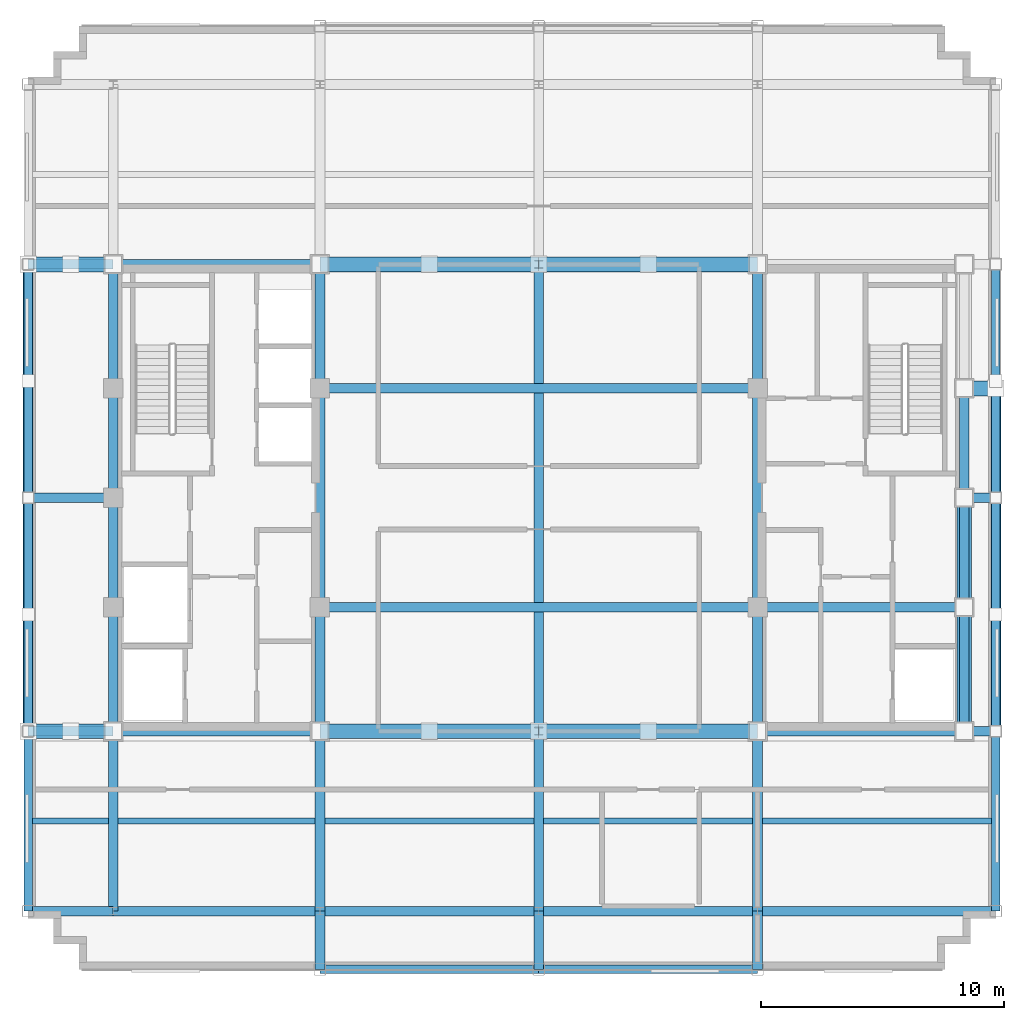
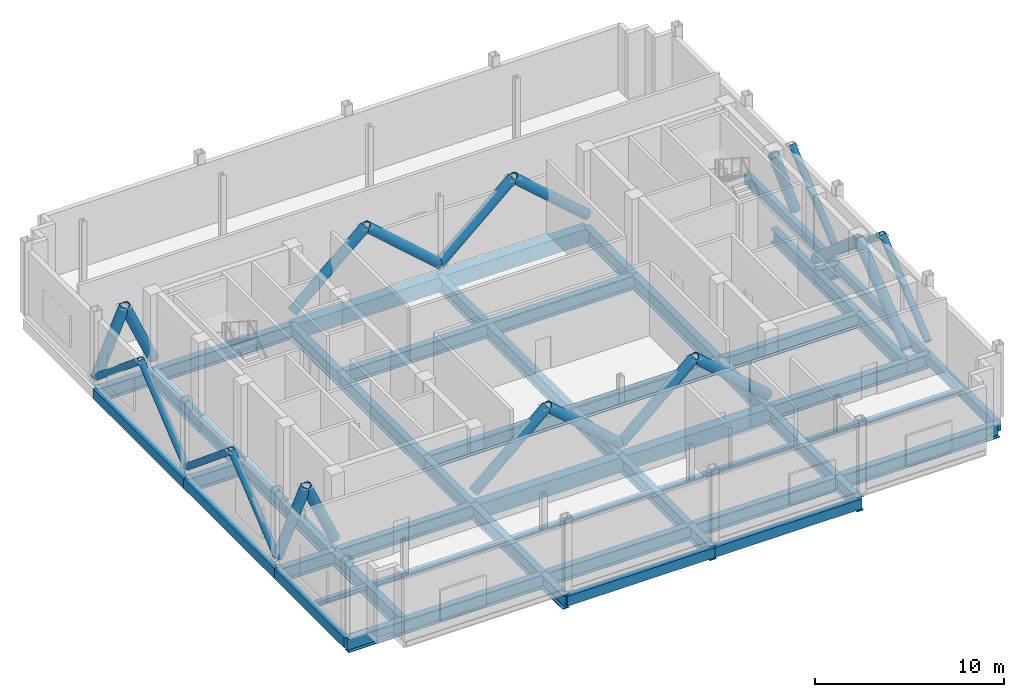
# One storey, part 4 of 12: 54 beams, 22 members.
"""IFC4 building model written with IfcOpenShell, lengths in metres."""

from ifc_helpers import new_model, si_unit, direction, frame, origin, origin_2d, place, context, subcontext, project, spatial, rectangle, hollow_circle, i_section, extrude, material, material_profile, profile_set, type_object, element, save


model = new_model("IFC4")

# Units and contexts
model_context = context("Model", 3, precision=1e-05, world=origin(), true_north=direction((0.0, 1.0)))
body_context = subcontext(model_context, "Body", "Model", "MODEL_VIEW")
ifc_project = project(units=[si_unit("LENGTHUNIT", "METRE"), si_unit("AREAUNIT", "SQUARE_METRE"), si_unit("VOLUMEUNIT", "CUBIC_METRE"), si_unit("PLANEANGLEUNIT", "RADIAN"), si_unit("MASSUNIT", "GRAM", prefix="KILO")], contexts=[model_context])

# Site, building, storey
site_placement = place(None, origin())
site = spatial("IfcSite", under=ifc_project, at=site_placement, CompositionType="ELEMENT")
building_placement = place(site_placement, origin())
building = spatial("IfcBuilding", under=site, at=building_placement, Name="Nuvemarco Arch Tower", CompositionType="ELEMENT")
storey_placement = place(building_placement, frame((0.0, 0.0, 252.949951171875)))
storey = spatial("IfcBuildingStorey", under=building, at=storey_placement, Name="L67", CompositionType="ELEMENT", Elevation=252.949951171875)

# Beams
ifc_material_1 = material(Name="Concrete C60/75", Category="concrete")
ifc_material_profile_1 = material_profile(ifc_material_1, rectangle(XDim=0.60009765625, YDim=0.949951171875, at=origin_2d()), Name="RC-BM-600x950")
ifc_profile_set_1 = profile_set([ifc_material_profile_1], Name="Concrete C60/75")
beam_type_1 = type_object("IfcBeamType", Name="BM-COUP-RC", PredefinedType="LINTEL", material=ifc_profile_set_1)
for number, where, z_axis, x_axis, name in (
    (1, (-9.0, -9.60009765625, -0.875), (1.0, 0.0, 0.0), (0.0, 1.0, 0.0), "L67 structural beam BGEW_L67_0_-9.6_-9.0"),
    (2, (0.0, -9.60009765625, -0.875), (1.0, 0.0, 0.0), (0.0, 1.0, 0.0), "L67 structural beam BGEW_L67_0_-9.6_+0.0"),
    (3, (-9.0, 9.60009765625, -0.875), (1.0, 0.0, 0.0), (0.0, 1.0, 0.0), "L67 structural beam BGEW_L67_0_+9.6_-9.0"),
    (4, (0.0, 9.60009765625, -0.875), (1.0, 0.0, 0.0), (0.0, 1.0, 0.0), "L67 structural beam BGEW_L67_0_+9.6_+0.0"),
):
    element("IfcBeam", number, at=place(storey_placement, frame(where, z_axis=z_axis, x_axis=x_axis)), inside=storey, type_object=beam_type_1, Name=name, PredefinedType="LINTEL", context=body_context, shape_type="SweptSolid", body=[
        extrude(rectangle(XDim=0.60009765625, YDim=0.949951171875, at=origin_2d()), origin(), (0.0, 0.0, 1.0), 9.0),
    ])
ifc_material_2 = material(Name="Steel S355", Category="steel")
ifc_material_profile_2 = material_profile(ifc_material_2, i_section(OverallWidth=0.39990234375, OverallDepth=0.89990234375, WebThickness=0.02197265625, FlangeThickness=0.035888671875, FilletRadius=0.01611328125, at=origin_2d()), Name="PG900x400")
ifc_profile_set_2 = profile_set([ifc_material_profile_2], Name="Steel S355")
beam_type_2 = type_object("IfcBeamType", Name="BM-GIRD-900", PredefinedType="BEAM", material=ifc_profile_set_2)
beam_1_placement = place(storey_placement, frame((-17.5, -17.0, -0.849853515625), z_axis=(0.0, 1.0, 0.0), x_axis=(-1.0, 0.0, 0.0)))
element("IfcBeam", 5, at=beam_1_placement, inside=storey, type_object=beam_type_2, Name="L67 structural beam BGNS_L67_0_-17.5_-17.0", PredefinedType="BEAM", context=body_context, shape_type="SweptSolid", body=[
    extrude(i_section(OverallWidth=0.39990234375, OverallDepth=0.89990234375, WebThickness=0.02197265625, FlangeThickness=0.035888671875, FilletRadius=0.01611328125, at=origin_2d()), origin(), (0.0, 0.0, 1.0), 7.39990234375),
])
beam_2_placement = place(storey_placement, frame((-17.5, -9.60009765625, -0.849853515625), z_axis=(0.0, 1.0, 0.0), x_axis=(-1.0, 0.0, 0.0)))
element("IfcBeam", 6, at=beam_2_placement, inside=storey, type_object=beam_type_2, Name="L67 structural beam BGNS_L67_0_-17.5_-9.6", PredefinedType="BEAM", context=body_context, shape_type="SweptSolid", body=[
    extrude(i_section(OverallWidth=0.39990234375, OverallDepth=0.89990234375, WebThickness=0.02197265625, FlangeThickness=0.035888671875, FilletRadius=0.01611328125, at=origin_2d()), origin(), (0.0, 0.0, 1.0), 5.10009765625),
])
for number, where, z_axis, x_axis, name in (
    (7, (-17.5, -4.5, -0.849853515625), (0.0, 1.0, 0.0), (-1.0, 0.0, 0.0), "L67 structural beam BGNS_L67_0_-17.5_-4.5"),
    (8, (-17.5, 0.0, -0.849853515625), (0.0, 1.0, 0.0), (-1.0, 0.0, 0.0), "L67 structural beam BGNS_L67_0_-17.5_+0.0"),
):
    element("IfcBeam", number, at=place(storey_placement, frame(where, z_axis=z_axis, x_axis=x_axis)), inside=storey, type_object=beam_type_2, Name=name, PredefinedType="BEAM", context=body_context, shape_type="SweptSolid", body=[
        extrude(i_section(OverallWidth=0.39990234375, OverallDepth=0.89990234375, WebThickness=0.02197265625, FlangeThickness=0.035888671875, FilletRadius=0.01611328125, at=origin_2d()), origin(), (0.0, 0.0, 1.0), 4.5),
    ])
beam_3_placement = place(storey_placement, frame((-17.5, 4.5, -0.849853515625), z_axis=(0.0, 1.0, 0.0), x_axis=(-1.0, 0.0, 0.0)))
element("IfcBeam", 9, at=beam_3_placement, inside=storey, type_object=beam_type_2, Name="L67 structural beam BGNS_L67_0_-17.5_+4.5", PredefinedType="BEAM", context=body_context, shape_type="SweptSolid", body=[
    extrude(i_section(OverallWidth=0.39990234375, OverallDepth=0.89990234375, WebThickness=0.02197265625, FlangeThickness=0.035888671875, FilletRadius=0.01611328125, at=origin_2d()), origin(), (0.0, 0.0, 1.0), 5.10009765625),
])
beam_4_placement = place(storey_placement, frame((-9.0, -19.39990234375, -0.849853515625), z_axis=(0.0, 1.0, 0.0), x_axis=(-1.0, 0.0, 0.0)))
element("IfcBeam", 10, at=beam_4_placement, inside=storey, type_object=beam_type_2, Name="L67 structural beam BGNS_L67_0_-9.0_-19.4", PredefinedType="BEAM", context=body_context, shape_type="SweptSolid", body=[
    extrude(i_section(OverallWidth=0.39990234375, OverallDepth=0.89990234375, WebThickness=0.02197265625, FlangeThickness=0.035888671875, FilletRadius=0.01611328125, at=origin_2d()), origin(), (0.0, 0.0, 1.0), 2.39990234375),
])
beam_5_placement = place(storey_placement, frame((-9.0, -17.0, -0.849853515625), z_axis=(0.0, 1.0, 0.0), x_axis=(-1.0, 0.0, 0.0)))
element("IfcBeam", 11, at=beam_5_placement, inside=storey, type_object=beam_type_2, Name="L67 structural beam BGNS_L67_0_-9.0_-17.0", PredefinedType="BEAM", context=body_context, shape_type="SweptSolid", body=[
    extrude(i_section(OverallWidth=0.39990234375, OverallDepth=0.89990234375, WebThickness=0.02197265625, FlangeThickness=0.035888671875, FilletRadius=0.01611328125, at=origin_2d()), origin(), (0.0, 0.0, 1.0), 7.39990234375),
])
beam_6_placement = place(storey_placement, frame((-9.0, -9.60009765625, -0.849853515625), z_axis=(0.0, 1.0, 0.0), x_axis=(-1.0, 0.0, 0.0)))
element("IfcBeam", 12, at=beam_6_placement, inside=storey, type_object=beam_type_2, Name="L67 structural beam BGNS_L67_0_-9.0_-9.6", PredefinedType="BEAM", context=body_context, shape_type="SweptSolid", body=[
    extrude(i_section(OverallWidth=0.39990234375, OverallDepth=0.89990234375, WebThickness=0.02197265625, FlangeThickness=0.035888671875, FilletRadius=0.01611328125, at=origin_2d()), origin(), (0.0, 0.0, 1.0), 5.10009765625),
])
beam_7_placement = place(storey_placement, frame((-9.0, -4.5, -0.849853515625), z_axis=(0.0, 1.0, 0.0), x_axis=(-1.0, 0.0, 0.0)))
element("IfcBeam", 13, at=beam_7_placement, inside=storey, type_object=beam_type_2, Name="L67 structural beam BGNS_L67_0_-9.0_-4.5", PredefinedType="BEAM", context=body_context, shape_type="SweptSolid", body=[
    extrude(i_section(OverallWidth=0.39990234375, OverallDepth=0.89990234375, WebThickness=0.02197265625, FlangeThickness=0.035888671875, FilletRadius=0.01611328125, at=origin_2d()), origin(), (0.0, 0.0, 1.0), 9.0),
])
beam_8_placement = place(storey_placement, frame((-9.0, 4.5, -0.849853515625), z_axis=(0.0, 1.0, 0.0), x_axis=(-1.0, 0.0, 0.0)))
element("IfcBeam", 14, at=beam_8_placement, inside=storey, type_object=beam_type_2, Name="L67 structural beam BGNS_L67_0_-9.0_+4.5", PredefinedType="BEAM", context=body_context, shape_type="SweptSolid", body=[
    extrude(i_section(OverallWidth=0.39990234375, OverallDepth=0.89990234375, WebThickness=0.02197265625, FlangeThickness=0.035888671875, FilletRadius=0.01611328125, at=origin_2d()), origin(), (0.0, 0.0, 1.0), 5.10009765625),
])
beam_9_placement = place(storey_placement, frame((0.0, -19.39990234375, -0.849853515625), z_axis=(0.0, 1.0, 0.0), x_axis=(-1.0, 0.0, 0.0)))
element("IfcBeam", 15, at=beam_9_placement, inside=storey, type_object=beam_type_2, Name="L67 structural beam BGNS_L67_0_+0.0_-19.4", PredefinedType="BEAM", context=body_context, shape_type="SweptSolid", body=[
    extrude(i_section(OverallWidth=0.39990234375, OverallDepth=0.89990234375, WebThickness=0.02197265625, FlangeThickness=0.035888671875, FilletRadius=0.01611328125, at=origin_2d()), origin(), (0.0, 0.0, 1.0), 2.39990234375),
])
beam_10_placement = place(storey_placement, frame((0.0, -17.0, -0.849853515625), z_axis=(0.0, 1.0, 0.0), x_axis=(-1.0, 0.0, 0.0)))
element("IfcBeam", 16, at=beam_10_placement, inside=storey, type_object=beam_type_2, Name="L67 structural beam BGNS_L67_0_+0.0_-17.0", PredefinedType="BEAM", context=body_context, shape_type="SweptSolid", body=[
    extrude(i_section(OverallWidth=0.39990234375, OverallDepth=0.89990234375, WebThickness=0.02197265625, FlangeThickness=0.035888671875, FilletRadius=0.01611328125, at=origin_2d()), origin(), (0.0, 0.0, 1.0), 7.39990234375),
])
beam_11_placement = place(storey_placement, frame((0.0, -9.60009765625, -0.849853515625), z_axis=(0.0, 1.0, 0.0), x_axis=(-1.0, 0.0, 0.0)))
element("IfcBeam", 17, at=beam_11_placement, inside=storey, type_object=beam_type_2, Name="L67 structural beam BGNS_L67_0_+0.0_-9.6", PredefinedType="BEAM", context=body_context, shape_type="SweptSolid", body=[
    extrude(i_section(OverallWidth=0.39990234375, OverallDepth=0.89990234375, WebThickness=0.02197265625, FlangeThickness=0.035888671875, FilletRadius=0.01611328125, at=origin_2d()), origin(), (0.0, 0.0, 1.0), 19.2001953125),
])
beam_12_placement = place(storey_placement, frame((9.0, -19.39990234375, -0.849853515625), z_axis=(0.0, 1.0, 0.0), x_axis=(-1.0, 0.0, 0.0)))
element("IfcBeam", 18, at=beam_12_placement, inside=storey, type_object=beam_type_2, Name="L67 structural beam BGNS_L67_0_+9.0_-19.4", PredefinedType="BEAM", context=body_context, shape_type="SweptSolid", body=[
    extrude(i_section(OverallWidth=0.39990234375, OverallDepth=0.89990234375, WebThickness=0.02197265625, FlangeThickness=0.035888671875, FilletRadius=0.01611328125, at=origin_2d()), origin(), (0.0, 0.0, 1.0), 2.39990234375),
])
beam_13_placement = place(storey_placement, frame((9.0, -17.0, -0.849853515625), z_axis=(0.0, 1.0, 0.0), x_axis=(-1.0, 0.0, 0.0)))
element("IfcBeam", 19, at=beam_13_placement, inside=storey, type_object=beam_type_2, Name="L67 structural beam BGNS_L67_0_+9.0_-17.0", PredefinedType="BEAM", context=body_context, shape_type="SweptSolid", body=[
    extrude(i_section(OverallWidth=0.39990234375, OverallDepth=0.89990234375, WebThickness=0.02197265625, FlangeThickness=0.035888671875, FilletRadius=0.01611328125, at=origin_2d()), origin(), (0.0, 0.0, 1.0), 7.39990234375),
])
beam_14_placement = place(storey_placement, frame((9.0, -9.60009765625, -0.849853515625), z_axis=(0.0, 1.0, 0.0), x_axis=(-1.0, 0.0, 0.0)))
element("IfcBeam", 20, at=beam_14_placement, inside=storey, type_object=beam_type_2, Name="L67 structural beam BGNS_L67_0_+9.0_-9.6", PredefinedType="BEAM", context=body_context, shape_type="SweptSolid", body=[
    extrude(i_section(OverallWidth=0.39990234375, OverallDepth=0.89990234375, WebThickness=0.02197265625, FlangeThickness=0.035888671875, FilletRadius=0.01611328125, at=origin_2d()), origin(), (0.0, 0.0, 1.0), 5.10009765625),
])
beam_15_placement = place(storey_placement, frame((9.0, -4.5, -0.849853515625), z_axis=(0.0, 1.0, 0.0), x_axis=(-1.0, 0.0, 0.0)))
element("IfcBeam", 21, at=beam_15_placement, inside=storey, type_object=beam_type_2, Name="L67 structural beam BGNS_L67_0_+9.0_-4.5", PredefinedType="BEAM", context=body_context, shape_type="SweptSolid", body=[
    extrude(i_section(OverallWidth=0.39990234375, OverallDepth=0.89990234375, WebThickness=0.02197265625, FlangeThickness=0.035888671875, FilletRadius=0.01611328125, at=origin_2d()), origin(), (0.0, 0.0, 1.0), 9.0),
])
for number, where, z_axis, x_axis, name in (
    (22, (9.0, 4.5, -0.849853515625), (0.0, 1.0, 0.0), (-1.0, 0.0, 0.0), "L67 structural beam BGNS_L67_0_+9.0_+4.5"),
    (23, (17.5, -9.60009765625, -0.849853515625), (0.0, 1.0, 0.0), (-1.0, 0.0, 0.0), "L67 structural beam BGNS_L67_0_+17.5_-9.6"),
):
    element("IfcBeam", number, at=place(storey_placement, frame(where, z_axis=z_axis, x_axis=x_axis)), inside=storey, type_object=beam_type_2, Name=name, PredefinedType="BEAM", context=body_context, shape_type="SweptSolid", body=[
        extrude(i_section(OverallWidth=0.39990234375, OverallDepth=0.89990234375, WebThickness=0.02197265625, FlangeThickness=0.035888671875, FilletRadius=0.01611328125, at=origin_2d()), origin(), (0.0, 0.0, 1.0), 5.10009765625),
    ])
for number, where, z_axis, x_axis, name in (
    (24, (17.5, -4.5, -0.849853515625), (0.0, 1.0, 0.0), (-1.0, 0.0, 0.0), "L67 structural beam BGNS_L67_0_+17.5_-4.5"),
    (25, (17.5, 0.0, -0.849853515625), (0.0, 1.0, 0.0), (-1.0, 0.0, 0.0), "L67 structural beam BGNS_L67_0_+17.5_+0.0"),
):
    element("IfcBeam", number, at=place(storey_placement, frame(where, z_axis=z_axis, x_axis=x_axis)), inside=storey, type_object=beam_type_2, Name=name, PredefinedType="BEAM", context=body_context, shape_type="SweptSolid", body=[
        extrude(i_section(OverallWidth=0.39990234375, OverallDepth=0.89990234375, WebThickness=0.02197265625, FlangeThickness=0.035888671875, FilletRadius=0.01611328125, at=origin_2d()), origin(), (0.0, 0.0, 1.0), 4.5),
    ])
beam_16_placement = place(storey_placement, frame((-21.0, -17.0, -0.849853515625), z_axis=(1.0, 0.0, 0.0), x_axis=(0.0, 1.0, 0.0)))
element("IfcBeam", 26, at=beam_16_placement, inside=storey, type_object=beam_type_2, Name="L67 structural beam BGEW_L67_0_-17.0_-21.0", PredefinedType="BEAM", context=body_context, shape_type="SweptSolid", body=[
    extrude(i_section(OverallWidth=0.39990234375, OverallDepth=0.89990234375, WebThickness=0.02197265625, FlangeThickness=0.035888671875, FilletRadius=0.01611328125, at=origin_2d()), origin(), (0.0, 0.0, 1.0), 3.5),
])
beam_17_placement = place(storey_placement, frame((-17.5, -17.0, -0.849853515625), z_axis=(1.0, 0.0, 0.0), x_axis=(0.0, 1.0, 0.0)))
element("IfcBeam", 27, at=beam_17_placement, inside=storey, type_object=beam_type_2, Name="L67 structural beam BGEW_L67_0_-17.0_-17.5", PredefinedType="BEAM", context=body_context, shape_type="SweptSolid", body=[
    extrude(i_section(OverallWidth=0.39990234375, OverallDepth=0.89990234375, WebThickness=0.02197265625, FlangeThickness=0.035888671875, FilletRadius=0.01611328125, at=origin_2d()), origin(), (0.0, 0.0, 1.0), 8.5),
])
for number, where, z_axis, x_axis, name in (
    (28, (-9.0, -17.0, -0.849853515625), (1.0, 0.0, 0.0), (0.0, 1.0, 0.0), "L67 structural beam BGEW_L67_0_-17.0_-9.0"),
    (29, (0.0, -17.0, -0.849853515625), (1.0, 0.0, 0.0), (0.0, 1.0, 0.0), "L67 structural beam BGEW_L67_0_-17.0_+0.0"),
):
    element("IfcBeam", number, at=place(storey_placement, frame(where, z_axis=z_axis, x_axis=x_axis)), inside=storey, type_object=beam_type_2, Name=name, PredefinedType="BEAM", context=body_context, shape_type="SweptSolid", body=[
        extrude(i_section(OverallWidth=0.39990234375, OverallDepth=0.89990234375, WebThickness=0.02197265625, FlangeThickness=0.035888671875, FilletRadius=0.01611328125, at=origin_2d()), origin(), (0.0, 0.0, 1.0), 9.0),
    ])
beam_18_placement = place(storey_placement, frame((9.0, -17.0, -0.849853515625), z_axis=(1.0, 0.0, 0.0), x_axis=(0.0, 1.0, 0.0)))
element("IfcBeam", 30, at=beam_18_placement, inside=storey, type_object=beam_type_2, Name="L67 structural beam BGEW_L67_0_-17.0_+9.0", PredefinedType="BEAM", context=body_context, shape_type="SweptSolid", body=[
    extrude(i_section(OverallWidth=0.39990234375, OverallDepth=0.89990234375, WebThickness=0.02197265625, FlangeThickness=0.035888671875, FilletRadius=0.01611328125, at=origin_2d()), origin(), (0.0, 0.0, 1.0), 9.800048828125),
])
beam_19_placement = place(storey_placement, frame((-21.0, -9.60009765625, -0.849853515625), z_axis=(1.0, 0.0, 0.0), x_axis=(0.0, 1.0, 0.0)))
element("IfcBeam", 31, at=beam_19_placement, inside=storey, type_object=beam_type_2, Name="L67 structural beam BGEW_L67_0_-9.6_-21.0", PredefinedType="BEAM", context=body_context, shape_type="SweptSolid", body=[
    extrude(i_section(OverallWidth=0.39990234375, OverallDepth=0.89990234375, WebThickness=0.02197265625, FlangeThickness=0.035888671875, FilletRadius=0.01611328125, at=origin_2d()), origin(), (0.0, 0.0, 1.0), 3.5),
])
for number, where, z_axis, x_axis, name in (
    (32, (-17.5, -9.60009765625, -0.849853515625), (1.0, 0.0, 0.0), (0.0, 1.0, 0.0), "L67 structural beam BGEW_L67_0_-9.6_-17.5"),
    (33, (9.0, -9.60009765625, -0.849853515625), (1.0, 0.0, 0.0), (0.0, 1.0, 0.0), "L67 structural beam BGEW_L67_0_-9.6_+9.0"),
):
    element("IfcBeam", number, at=place(storey_placement, frame(where, z_axis=z_axis, x_axis=x_axis)), inside=storey, type_object=beam_type_2, Name=name, PredefinedType="BEAM", context=body_context, shape_type="SweptSolid", body=[
        extrude(i_section(OverallWidth=0.39990234375, OverallDepth=0.89990234375, WebThickness=0.02197265625, FlangeThickness=0.035888671875, FilletRadius=0.01611328125, at=origin_2d()), origin(), (0.0, 0.0, 1.0), 8.5),
    ])
beam_20_placement = place(storey_placement, frame((17.5, -9.60009765625, -0.849853515625), z_axis=(1.0, 0.0, 0.0), x_axis=(0.0, 1.0, 0.0)))
element("IfcBeam", 34, at=beam_20_placement, inside=storey, type_object=beam_type_2, Name="L67 structural beam BGEW_L67_0_-9.6_+17.5", PredefinedType="BEAM", context=body_context, shape_type="SweptSolid", body=[
    extrude(i_section(OverallWidth=0.39990234375, OverallDepth=0.89990234375, WebThickness=0.02197265625, FlangeThickness=0.035888671875, FilletRadius=0.01611328125, at=origin_2d()), origin(), (0.0, 0.0, 1.0), 1.300048828125),
])
beam_21_placement = place(storey_placement, frame((-9.0, -4.5, -0.849853515625), z_axis=(1.0, 0.0, 0.0), x_axis=(0.0, 1.0, 0.0)))
element("IfcBeam", 35, at=beam_21_placement, inside=storey, type_object=beam_type_2, Name="L67 structural beam BGEW_L67_0_-4.5_-9.0", PredefinedType="BEAM", context=body_context, shape_type="SweptSolid", body=[
    extrude(i_section(OverallWidth=0.39990234375, OverallDepth=0.89990234375, WebThickness=0.02197265625, FlangeThickness=0.035888671875, FilletRadius=0.01611328125, at=origin_2d()), origin(), (0.0, 0.0, 1.0), 18.0),
])
beam_22_placement = place(storey_placement, frame((9.0, -4.5, -0.849853515625), z_axis=(1.0, 0.0, 0.0), x_axis=(0.0, 1.0, 0.0)))
element("IfcBeam", 36, at=beam_22_placement, inside=storey, type_object=beam_type_2, Name="L67 structural beam BGEW_L67_0_-4.5_+9.0", PredefinedType="BEAM", context=body_context, shape_type="SweptSolid", body=[
    extrude(i_section(OverallWidth=0.39990234375, OverallDepth=0.89990234375, WebThickness=0.02197265625, FlangeThickness=0.035888671875, FilletRadius=0.01611328125, at=origin_2d()), origin(), (0.0, 0.0, 1.0), 8.5),
])
beam_23_placement = place(storey_placement, frame((-21.0, 0.0, -0.849853515625), z_axis=(1.0, 0.0, 0.0), x_axis=(0.0, 1.0, 0.0)))
element("IfcBeam", 37, at=beam_23_placement, inside=storey, type_object=beam_type_2, Name="L67 structural beam BGEW_L67_0_+0.0_-21.0", PredefinedType="BEAM", context=body_context, shape_type="SweptSolid", body=[
    extrude(i_section(OverallWidth=0.39990234375, OverallDepth=0.89990234375, WebThickness=0.02197265625, FlangeThickness=0.035888671875, FilletRadius=0.01611328125, at=origin_2d()), origin(), (0.0, 0.0, 1.0), 3.5),
])
beam_24_placement = place(storey_placement, frame((17.5, 0.0, -0.849853515625), z_axis=(1.0, 0.0, 0.0), x_axis=(0.0, 1.0, 0.0)))
element("IfcBeam", 38, at=beam_24_placement, inside=storey, type_object=beam_type_2, Name="L67 structural beam BGEW_L67_0_+0.0_+17.5", PredefinedType="BEAM", context=body_context, shape_type="SweptSolid", body=[
    extrude(i_section(OverallWidth=0.39990234375, OverallDepth=0.89990234375, WebThickness=0.02197265625, FlangeThickness=0.035888671875, FilletRadius=0.01611328125, at=origin_2d()), origin(), (0.0, 0.0, 1.0), 1.300048828125),
])
beam_25_placement = place(storey_placement, frame((-9.0, 4.5, -0.849853515625), z_axis=(1.0, 0.0, 0.0), x_axis=(0.0, 1.0, 0.0)))
element("IfcBeam", 39, at=beam_25_placement, inside=storey, type_object=beam_type_2, Name="L67 structural beam BGEW_L67_0_+4.5_-9.0", PredefinedType="BEAM", context=body_context, shape_type="SweptSolid", body=[
    extrude(i_section(OverallWidth=0.39990234375, OverallDepth=0.89990234375, WebThickness=0.02197265625, FlangeThickness=0.035888671875, FilletRadius=0.01611328125, at=origin_2d()), origin(), (0.0, 0.0, 1.0), 18.0),
])
beam_26_placement = place(storey_placement, frame((-21.0, 9.60009765625, -0.849853515625), z_axis=(1.0, 0.0, 0.0), x_axis=(0.0, 1.0, 0.0)))
element("IfcBeam", 40, at=beam_26_placement, inside=storey, type_object=beam_type_2, Name="L67 structural beam BGEW_L67_0_+9.6_-21.0", PredefinedType="BEAM", context=body_context, shape_type="SweptSolid", body=[
    extrude(i_section(OverallWidth=0.39990234375, OverallDepth=0.89990234375, WebThickness=0.02197265625, FlangeThickness=0.035888671875, FilletRadius=0.01611328125, at=origin_2d()), origin(), (0.0, 0.0, 1.0), 3.5),
])
beam_27_placement = place(storey_placement, frame((-17.5, 9.60009765625, -0.849853515625), z_axis=(1.0, 0.0, 0.0), x_axis=(0.0, 1.0, 0.0)))
element("IfcBeam", 41, at=beam_27_placement, inside=storey, type_object=beam_type_2, Name="L67 structural beam BGEW_L67_0_+9.6_-17.5", PredefinedType="BEAM", context=body_context, shape_type="SweptSolid", body=[
    extrude(i_section(OverallWidth=0.39990234375, OverallDepth=0.89990234375, WebThickness=0.02197265625, FlangeThickness=0.035888671875, FilletRadius=0.01611328125, at=origin_2d()), origin(), (0.0, 0.0, 1.0), 8.5),
])
ifc_material_profile_3 = material_profile(ifc_material_2, i_section(OverallWidth=0.25390625, OverallDepth=0.305908203125, WebThickness=0.0087890625, FlangeThickness=0.0146484375, FilletRadius=0.014892578125, at=origin_2d()), Name="W310x79")
ifc_profile_set_3 = profile_set([ifc_material_profile_3], Name="Steel S355")
beam_type_3 = type_object("IfcBeamType", Name="BM-JOIST-310H", PredefinedType="JOIST", material=ifc_profile_set_3)
beam_28_placement = place(storey_placement, frame((-20.824951171875, -13.300048828125, -0.552978515625), z_axis=(1.0, 0.0, 0.0), x_axis=(0.0, 1.0, 0.0)))
element("IfcBeam", 42, at=beam_28_placement, inside=storey, type_object=beam_type_3, Name="L67 structural beam BJ_L67_0_-13.3_-21.0", PredefinedType="JOIST", context=body_context, shape_type="SweptSolid", body=[
    extrude(i_section(OverallWidth=0.25390625, OverallDepth=0.305908203125, WebThickness=0.0087890625, FlangeThickness=0.0146484375, FilletRadius=0.014892578125, at=origin_2d()), origin(), (0.0, 0.0, 1.0), 3.125),
])
beam_29_placement = place(storey_placement, frame((-17.300048828125, -13.300048828125, -0.552978515625), z_axis=(1.0, 0.0, 0.0), x_axis=(0.0, 1.0, 0.0)))
element("IfcBeam", 43, at=beam_29_placement, inside=storey, type_object=beam_type_3, Name="L67 structural beam BJ_L67_0_-13.3_-17.5", PredefinedType="JOIST", context=body_context, shape_type="SweptSolid", body=[
    extrude(i_section(OverallWidth=0.25390625, OverallDepth=0.305908203125, WebThickness=0.0087890625, FlangeThickness=0.0146484375, FilletRadius=0.014892578125, at=origin_2d()), origin(), (0.0, 0.0, 1.0), 8.10009765625),
])
for number, where, z_axis, x_axis, name in (
    (44, (-8.800048828125, -13.300048828125, -0.552978515625), (1.0, 0.0, 0.0), (0.0, 1.0, 0.0), "L67 structural beam BJ_L67_0_-13.3_-9.0"),
    (45, (0.199951171875, -13.300048828125, -0.552978515625), (1.0, 0.0, 0.0), (0.0, 1.0, 0.0), "L67 structural beam BJ_L67_0_-13.3_+0.0"),
):
    element("IfcBeam", number, at=place(storey_placement, frame(where, z_axis=z_axis, x_axis=x_axis)), inside=storey, type_object=beam_type_3, Name=name, PredefinedType="JOIST", context=body_context, shape_type="SweptSolid", body=[
        extrude(i_section(OverallWidth=0.25390625, OverallDepth=0.305908203125, WebThickness=0.0087890625, FlangeThickness=0.0146484375, FilletRadius=0.014892578125, at=origin_2d()), origin(), (0.0, 0.0, 1.0), 8.60009765625),
    ])
beam_30_placement = place(storey_placement, frame((9.199951171875, -13.300048828125, -0.552978515625), z_axis=(1.0, 0.0, 0.0), x_axis=(0.0, 1.0, 0.0)))
element("IfcBeam", 46, at=beam_30_placement, inside=storey, type_object=beam_type_3, Name="L67 structural beam BJ_L67_0_-13.3_+9.0", PredefinedType="JOIST", context=body_context, shape_type="SweptSolid", body=[
    extrude(i_section(OverallWidth=0.25390625, OverallDepth=0.305908203125, WebThickness=0.0087890625, FlangeThickness=0.0146484375, FilletRadius=0.014892578125, at=origin_2d()), origin(), (0.0, 0.0, 1.0), 9.425048828125),
])
ifc_material_3 = material(Name="Precast concrete C45/55", Category="concrete")
ifc_material_profile_4 = material_profile(ifc_material_3, rectangle(XDim=0.35009765625, YDim=0.64990234375, at=origin_2d()), Name="PC-SP-350x650")
ifc_profile_set_4 = profile_set([ifc_material_profile_4], Name="Precast concrete C45/55")
beam_type_4 = type_object("IfcBeamType", Name="BM-SPAN-RC", PredefinedType="SPANDREL", material=ifc_profile_set_4)
beam_31_placement = place(storey_placement, frame((-21.0, -17.0, -0.724853515625), z_axis=(0.0, 1.0, 0.0), x_axis=(-1.0, 0.0, 0.0)))
element("IfcBeam", 47, at=beam_31_placement, inside=storey, type_object=beam_type_4, Name="L67 structural beam BGNS_L67_0_-21.0_-17.0", PredefinedType="SPANDREL", context=body_context, shape_type="SweptSolid", body=[
    extrude(rectangle(XDim=0.35009765625, YDim=0.64990234375, at=origin_2d()), origin(), (0.0, 0.0, 1.0), 7.39990234375),
])
for number, where, z_axis, x_axis, name in (
    (48, (-21.0, -9.60009765625, -0.724853515625), (0.0, 1.0, 0.0), (-1.0, 0.0, 0.0), "L67 structural beam BGNS_L67_0_-21.0_-9.6"),
    (49, (-21.0, 0.0, -0.724853515625), (0.0, 1.0, 0.0), (-1.0, 0.0, 0.0), "L67 structural beam BGNS_L67_0_-21.0_+0.0"),
):
    element("IfcBeam", number, at=place(storey_placement, frame(where, z_axis=z_axis, x_axis=x_axis)), inside=storey, type_object=beam_type_4, Name=name, PredefinedType="SPANDREL", context=body_context, shape_type="SweptSolid", body=[
        extrude(rectangle(XDim=0.35009765625, YDim=0.64990234375, at=origin_2d()), origin(), (0.0, 0.0, 1.0), 9.60009765625),
    ])
beam_32_placement = place(storey_placement, frame((18.800048828125, -17.0, -0.724853515625), z_axis=(0.0, 1.0, 0.0), x_axis=(-1.0, 0.0, 0.0)))
element("IfcBeam", 50, at=beam_32_placement, inside=storey, type_object=beam_type_4, Name="L67 structural beam BGNS_L67_0_+18.8_-17.0", PredefinedType="SPANDREL", context=body_context, shape_type="SweptSolid", body=[
    extrude(rectangle(XDim=0.35009765625, YDim=0.64990234375, at=origin_2d()), origin(), (0.0, 0.0, 1.0), 7.39990234375),
])
for number, where, z_axis, x_axis, name in (
    (51, (18.800048828125, -9.60009765625, -0.724853515625), (0.0, 1.0, 0.0), (-1.0, 0.0, 0.0), "L67 structural beam BGNS_L67_0_+18.8_-9.6"),
    (52, (18.800048828125, 0.0, -0.724853515625), (0.0, 1.0, 0.0), (-1.0, 0.0, 0.0), "L67 structural beam BGNS_L67_0_+18.8_+0.0"),
):
    element("IfcBeam", number, at=place(storey_placement, frame(where, z_axis=z_axis, x_axis=x_axis)), inside=storey, type_object=beam_type_4, Name=name, PredefinedType="SPANDREL", context=body_context, shape_type="SweptSolid", body=[
        extrude(rectangle(XDim=0.35009765625, YDim=0.64990234375, at=origin_2d()), origin(), (0.0, 0.0, 1.0), 9.60009765625),
    ])
for number, where, z_axis, x_axis, name in (
    (53, (-9.0, -19.39990234375, -0.724853515625), (1.0, 0.0, 0.0), (0.0, 1.0, 0.0), "L67 structural beam BGEW_L67_0_-19.4_-9.0"),
    (54, (0.0, -19.39990234375, -0.724853515625), (1.0, 0.0, 0.0), (0.0, 1.0, 0.0), "L67 structural beam BGEW_L67_0_-19.4_+0.0"),
):
    element("IfcBeam", number, at=place(storey_placement, frame(where, z_axis=z_axis, x_axis=x_axis)), inside=storey, type_object=beam_type_4, Name=name, PredefinedType="SPANDREL", context=body_context, shape_type="SweptSolid", body=[
        extrude(rectangle(XDim=0.35009765625, YDim=0.64990234375, at=origin_2d()), origin(), (0.0, 0.0, 1.0), 9.0),
    ])

# Members
ifc_material_profile_5 = material_profile(ifc_material_2, hollow_circle(Radius=0.203125, WallThickness=0.02490234375, at=origin_2d()), Name="CHS406.4x25")
ifc_profile_set_5 = profile_set([ifc_material_profile_5], Name="Steel S355")
member_type_1 = type_object("IfcMemberType", Name="MB-BELT-1", PredefinedType="CHORD", material=ifc_profile_set_5)
for number, where, z_axis, x_axis, name in (
    (55, (-21.0, -9.60009765625, 0.300048828125), (0.0, 0.770590115692, 0.637331054945), (-1.0, 0.0, 0.0), "L67 perimeter belt-truss brace W-1"),
    (56, (-21.0, -4.800048828125, 4.27001953125), (0.0, 0.770590115692, -0.637331054945), (-1.0, 0.0, 0.0), "L67 perimeter belt-truss brace W-2"),
    (57, (-21.0, 0.0, 0.300048828125), (0.0, 0.770590115692, 0.637331054945), (-1.0, 0.0, 0.0), "L67 perimeter belt-truss brace W-3"),
    (58, (-21.0, 4.800048828125, 4.27001953125), (0.0, 0.770590115692, -0.637331054945), (-1.0, 0.0, 0.0), "L67 perimeter belt-truss brace W-4"),
    (59, (18.800048828125, -9.60009765625, 0.300048828125), (0.0, 0.770590115692, 0.637331054945), (-1.0, 0.0, 0.0), "L67 perimeter belt-truss brace E-1"),
    (60, (18.800048828125, -4.800048828125, 4.27001953125), (0.0, 0.770590115692, -0.637331054945), (-1.0, 0.0, 0.0), "L67 perimeter belt-truss brace E-2"),
    (61, (18.800048828125, 0.0, 0.300048828125), (0.0, 0.770590115692, 0.637331054945), (-1.0, 0.0, 0.0), "L67 perimeter belt-truss brace E-3"),
):
    element("IfcMember", number, at=place(storey_placement, frame(where, z_axis=z_axis, x_axis=x_axis)), inside=storey, type_object=member_type_1, Name=name, PredefinedType="CHORD", context=body_context, shape_type="SweptSolid", body=[
        extrude(hollow_circle(Radius=0.203125, WallThickness=0.02490234375, at=origin_2d()), origin(), (0.0, 0.0, 1.0), 6.22900390625),
    ])
ifc_material_profile_6 = material_profile(ifc_material_2, hollow_circle(Radius=0.304931640625, WallThickness=0.0400390625, at=origin_2d()), Name="CHS610x40")
ifc_profile_set_6 = profile_set([ifc_material_profile_6], Name="Steel S355")
member_type_2 = type_object("IfcMemberType", Name="MB-OUTRIGGER-2", PredefinedType="BRACE", material=ifc_profile_set_6)
for number, where, z_axis, x_axis, name in (
    (62, (-21.0, -9.60009765625, 0.300048828125), (0.403358948875, 0.0, 0.915041834215), (0.0, 1.0, 0.0), "L67 outrigger truss brace west 1"),
    (63, (-19.25, -9.60009765625, 4.27001953125), (0.403358948875, 0.0, -0.915041834215), (0.0, 1.0, 0.0), "L67 outrigger truss brace west 2"),
):
    element("IfcMember", number, at=place(storey_placement, frame(where, z_axis=z_axis, x_axis=x_axis)), inside=storey, type_object=member_type_2, Name=name, PredefinedType="BRACE", context=body_context, shape_type="SweptSolid", body=[
        extrude(hollow_circle(Radius=0.304931640625, WallThickness=0.0400390625, at=origin_2d()), origin(), (0.0, 0.0, 1.0), 4.338623046875),
    ])
member_1_placement = place(storey_placement, frame((17.5, -9.60009765625, 0.300048828125), z_axis=(0.0, 0.78911010841, 0.614251769883), x_axis=(-1.0, 0.0, 0.0)))
element("IfcMember", 64, at=member_1_placement, inside=storey, type_object=member_type_2, Name="L67 outrigger truss brace east 1", PredefinedType="BRACE", context=body_context, shape_type="SweptSolid", body=[
    extrude(hollow_circle(Radius=0.304931640625, WallThickness=0.0400390625, at=origin_2d()), origin(), (0.0, 0.0, 1.0), 6.463134765625),
])
for number, where, z_axis, x_axis, name in (
    (65, (17.5, -4.5, 4.27001953125), (0.0, 0.749888906109, -0.661563775078), (-1.0, 0.0, 0.0), "L67 outrigger truss brace east 2"),
    (66, (-9.0, -9.60009765625, 0.300048828125), (0.749888906109, 0.0, 0.661563775078), (0.0, 1.0, 0.0), "L67 central outrigger link truss brace 1"),
    (67, (-4.5, -9.60009765625, 4.27001953125), (0.749888906109, 0.0, -0.661563775078), (0.0, 1.0, 0.0), "L67 central outrigger link truss brace 2"),
    (68, (0.0, -9.60009765625, 0.300048828125), (0.749888906109, 0.0, 0.661563775078), (0.0, 1.0, 0.0), "L67 central outrigger link truss brace 3"),
    (69, (4.5, -9.60009765625, 4.27001953125), (0.749888906109, 0.0, -0.661563775078), (0.0, 1.0, 0.0), "L67 central outrigger link truss brace 4"),
):
    element("IfcMember", number, at=place(storey_placement, frame(where, z_axis=z_axis, x_axis=x_axis)), inside=storey, type_object=member_type_2, Name=name, PredefinedType="BRACE", context=body_context, shape_type="SweptSolid", body=[
        extrude(hollow_circle(Radius=0.304931640625, WallThickness=0.0400390625, at=origin_2d()), origin(), (0.0, 0.0, 1.0), 6.0009765625),
    ])
for number, where, z_axis, x_axis, name in (
    (70, (-21.0, 9.60009765625, 0.300048828125), (0.403358948875, 0.0, 0.915041834215), (0.0, 1.0, 0.0), "L67 outrigger truss brace west 1"),
    (71, (-19.25, 9.60009765625, 4.27001953125), (0.403358948875, 0.0, -0.915041834215), (0.0, 1.0, 0.0), "L67 outrigger truss brace west 2"),
):
    element("IfcMember", number, at=place(storey_placement, frame(where, z_axis=z_axis, x_axis=x_axis)), inside=storey, type_object=member_type_2, Name=name, PredefinedType="BRACE", context=body_context, shape_type="SweptSolid", body=[
        extrude(hollow_circle(Radius=0.304931640625, WallThickness=0.0400390625, at=origin_2d()), origin(), (0.0, 0.0, 1.0), 4.338623046875),
    ])
member_2_placement = place(storey_placement, frame((17.5, 4.5, 4.27001953125), z_axis=(0.311208939751, 0.0, -0.950341515361), x_axis=(0.0, 1.0, 0.0)))
element("IfcMember", 72, at=member_2_placement, inside=storey, type_object=member_type_2, Name="L67 outrigger truss brace east 2", PredefinedType="BRACE", context=body_context, shape_type="SweptSolid", body=[
    extrude(hollow_circle(Radius=0.304931640625, WallThickness=0.0400390625, at=origin_2d()), origin(), (0.0, 0.0, 1.0), 4.177490234375),
])
for number, where, z_axis, x_axis, name in (
    (73, (-9.0, 9.60009765625, 0.300048828125), (0.749888906109, 0.0, 0.661563775078), (0.0, 1.0, 0.0), "L67 central outrigger link truss brace 1"),
    (74, (-4.5, 9.60009765625, 4.27001953125), (0.749888906109, 0.0, -0.661563775078), (0.0, 1.0, 0.0), "L67 central outrigger link truss brace 2"),
    (75, (0.0, 9.60009765625, 0.300048828125), (0.749888906109, 0.0, 0.661563775078), (0.0, 1.0, 0.0), "L67 central outrigger link truss brace 3"),
    (76, (4.5, 9.60009765625, 4.27001953125), (0.749888906109, 0.0, -0.661563775078), (0.0, 1.0, 0.0), "L67 central outrigger link truss brace 4"),
):
    element("IfcMember", number, at=place(storey_placement, frame(where, z_axis=z_axis, x_axis=x_axis)), inside=storey, type_object=member_type_2, Name=name, PredefinedType="BRACE", context=body_context, shape_type="SweptSolid", body=[
        extrude(hollow_circle(Radius=0.304931640625, WallThickness=0.0400390625, at=origin_2d()), origin(), (0.0, 0.0, 1.0), 6.0009765625),
    ])

save(model, "model.ifc")
